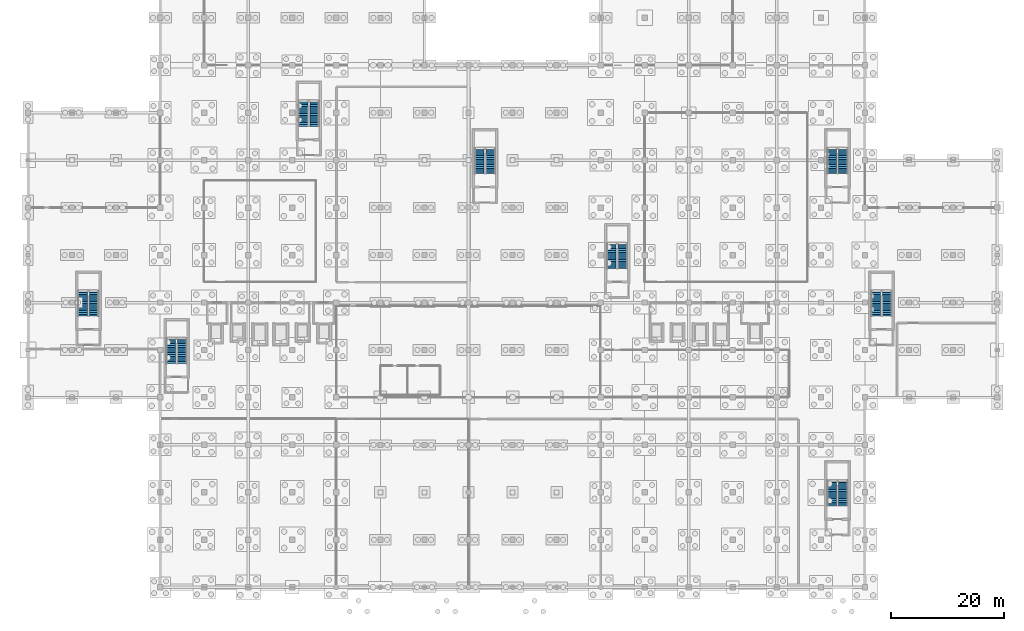
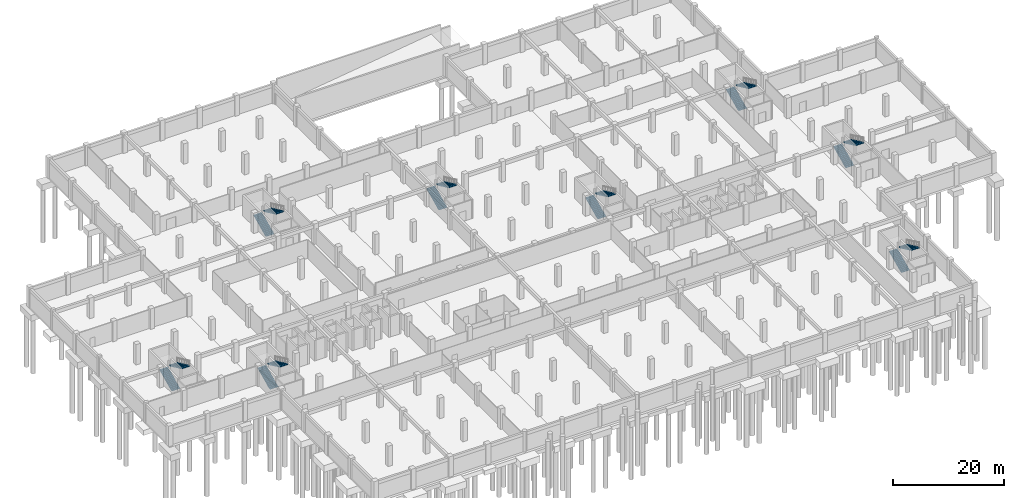
# One storey, part 23 of 30: 16 stair flights, 8 elements without a shape of their own.
"""IFC4 building model written with IfcOpenShell, lengths in metres."""

from ifc_helpers import new_model, si_unit, direction, frame, origin, place, context, subcontext, project, spatial, polyline, outline, extrude, material, type_object, element, aggregate, save


model = new_model("IFC4")

# Units and contexts
model_context = context("Model", 3, precision=1e-05, world=origin(), true_north=direction((0.0, 1.0)))
body_context = subcontext(model_context, "Body", "Model", "MODEL_VIEW")
ifc_project = project(units=[si_unit("LENGTHUNIT", "METRE"), si_unit("AREAUNIT", "SQUARE_METRE"), si_unit("VOLUMEUNIT", "CUBIC_METRE"), si_unit("PLANEANGLEUNIT", "RADIAN"), si_unit("MASSUNIT", "GRAM", prefix="KILO"), si_unit("THERMODYNAMICTEMPERATUREUNIT", "KELVIN"), si_unit("POWERUNIT", "WATT")], contexts=[model_context])

# Site, building, storey
site_placement = place(None, origin())
site = spatial("IfcSite", under=ifc_project, at=site_placement, CompositionType="ELEMENT")
building_placement = place(site_placement, origin())
building = spatial("IfcBuilding", under=site, at=building_placement, Name="Srebrne Nadtorze General Hospital", CompositionType="ELEMENT")
storey_placement = place(building_placement, frame((0.0, 0.0, -4.5)))
storey = spatial("IfcBuildingStorey", under=building, at=storey_placement, Name="B1", CompositionType="ELEMENT", Elevation=-4.5)

# Stair, stair flights
ifc_material_1 = material(Name="Concrete C35/45", Category="concrete")
stair_type = type_object("IfcStairType", Name="Dog-leg escape stair 450", PredefinedType="HALF_TURN_STAIR", material=ifc_material_1)
stair_1_placement = place(storey_placement, origin())
stair_1 = element("IfcStair", 1, at=stair_1_placement, inside=storey, type_object=stair_type, Name="Escape stair ST-01-B1", PredefinedType="HALF_TURN_STAIR")
ifc_material_2 = material(Name="Concrete C35/45", Category="concrete")
stair_flight_type = type_object("IfcStairFlightType", Name="Reinforced concrete stair flight 15R", PredefinedType="STRAIGHT", material=ifc_material_2)
stair_flight_1_placement = place(storey_placement, frame((25.300048828125, 39.60009765625, 0.0), z_axis=(0.0, 0.0, 1.0), x_axis=(0.0, 1.0, 0.0)))
stair_flight_1 = element("IfcStairFlight", 2, at=stair_flight_1_placement, type_object=stair_flight_type, Name="ST-01 flight 1", NumberOfRisers=15, NumberOfTreads=14, PredefinedType="STRAIGHT", RiserHeight=0.15, TreadLength=0.32, context=body_context, shape_type="SweptSolid", body=[
    extrude(outline(polyline([(0.0, 0.0), (0.0, 0.14990234375), (0.320068359375, 0.14990234375), (0.320068359375, 0.300048828125), (0.639892578125, 0.300048828125), (0.639892578125, 0.449951171875), (0.9599609375, 0.449951171875), (0.9599609375, 0.60009765625), (1.280029296875, 0.60009765625), (1.280029296875, 0.75), (1.60009765625, 0.75), (1.60009765625, 0.89990234375), (1.919921875, 0.89990234375), (1.919921875, 1.050048828125), (2.239990234375, 1.050048828125), (2.239990234375, 1.199951171875), (2.56005859375, 1.199951171875), (2.56005859375, 1.35009765625), (2.8798828125, 1.35009765625), (2.8798828125, 1.5), (3.199951171875, 1.5), (3.199951171875, 1.64990234375), (3.52001953125, 1.64990234375), (3.52001953125, 1.800048828125), (3.840087890625, 1.800048828125), (3.840087890625, 1.949951171875), (4.159912109375, 1.949951171875), (4.159912109375, 2.10009765625), (4.47998046875, 2.10009765625), (4.47998046875, 2.25), (4.47998046875, 1.9013671875), (0.423828125, 0.0), (0.0, 0.0)])), frame((0.0, 0.85009765625, 0.0), z_axis=(0.0, -1.0, 0.0), x_axis=(1.0, 0.0, 0.0)), (0.0, 0.0, 1.0), 1.699951171875),
])
stair_flight_2_placement = place(storey_placement, frame((27.35009765625, 44.080078125, 2.25), z_axis=(0.0, 0.0, 1.0), x_axis=(0.0, -1.0, 0.0)))
stair_flight_2 = element("IfcStairFlight", 3, at=stair_flight_2_placement, type_object=stair_flight_type, Name="ST-01 flight 2", NumberOfRisers=15, NumberOfTreads=14, PredefinedType="STRAIGHT", RiserHeight=0.15, TreadLength=0.32, context=body_context, shape_type="SweptSolid", body=[
    extrude(outline(polyline([(0.0, 0.0), (0.0, 0.14990234375), (0.320068359375, 0.14990234375), (0.320068359375, 0.300048828125), (0.639892578125, 0.300048828125), (0.639892578125, 0.449951171875), (0.9599609375, 0.449951171875), (0.9599609375, 0.60009765625), (1.280029296875, 0.60009765625), (1.280029296875, 0.75), (1.60009765625, 0.75), (1.60009765625, 0.89990234375), (1.919921875, 0.89990234375), (1.919921875, 1.050048828125), (2.239990234375, 1.050048828125), (2.239990234375, 1.199951171875), (2.56005859375, 1.199951171875), (2.56005859375, 1.35009765625), (2.8798828125, 1.35009765625), (2.8798828125, 1.5), (3.199951171875, 1.5), (3.199951171875, 1.64990234375), (3.52001953125, 1.64990234375), (3.52001953125, 1.800048828125), (3.840087890625, 1.800048828125), (3.840087890625, 1.949951171875), (4.159912109375, 1.949951171875), (4.159912109375, 2.10009765625), (4.47998046875, 2.10009765625), (4.47998046875, 2.25), (4.47998046875, 1.9013671875), (0.423828125, 0.0), (0.0, 0.0)])), frame((0.0, 0.85009765625, 0.0), z_axis=(0.0, -1.0, 0.0), x_axis=(1.0, 0.0, 0.0)), (0.0, 0.0, 1.0), 1.699951171875),
])
aggregate(stair_1, [stair_flight_1, stair_flight_2])

stair_2_placement = place(storey_placement, origin())
stair_2 = element("IfcStair", 4, at=stair_2_placement, inside=storey, type_object=stair_type, Name="Escape stair ST-02-B1", PredefinedType="HALF_TURN_STAIR")
stair_flight_3_placement = place(storey_placement, frame((48.699951171875, 81.60009765625, 0.0), z_axis=(0.0, 0.0, 1.0), x_axis=(0.0, 1.0, 0.0)))
stair_flight_3 = element("IfcStairFlight", 5, at=stair_flight_3_placement, type_object=stair_flight_type, Name="ST-02 flight 1", NumberOfRisers=15, NumberOfTreads=14, PredefinedType="STRAIGHT", RiserHeight=0.15, TreadLength=0.32, context=body_context, shape_type="SweptSolid", body=[
    extrude(outline(polyline([(0.0, 0.0), (0.0, 0.14990234375), (0.320068359375, 0.14990234375), (0.320068359375, 0.300048828125), (0.639892578125, 0.300048828125), (0.639892578125, 0.449951171875), (0.9599609375, 0.449951171875), (0.9599609375, 0.60009765625), (1.280029296875, 0.60009765625), (1.280029296875, 0.75), (1.60009765625, 0.75), (1.60009765625, 0.89990234375), (1.919921875, 0.89990234375), (1.919921875, 1.050048828125), (2.239990234375, 1.050048828125), (2.239990234375, 1.199951171875), (2.56005859375, 1.199951171875), (2.56005859375, 1.35009765625), (2.8798828125, 1.35009765625), (2.8798828125, 1.5), (3.199951171875, 1.5), (3.199951171875, 1.64990234375), (3.52001953125, 1.64990234375), (3.52001953125, 1.800048828125), (3.840087890625, 1.800048828125), (3.840087890625, 1.949951171875), (4.159912109375, 1.949951171875), (4.159912109375, 2.10009765625), (4.47998046875, 2.10009765625), (4.47998046875, 2.25), (4.47998046875, 1.9013671875), (0.423828125, 0.0), (0.0, 0.0)])), frame((0.0, 0.85009765625, 0.0), z_axis=(0.0, -1.0, 0.0), x_axis=(1.0, 0.0, 0.0)), (0.0, 0.0, 1.0), 1.699951171875),
])
stair_flight_4_placement = place(storey_placement, frame((50.75, 86.080078125, 2.25), z_axis=(0.0, 0.0, 1.0), x_axis=(0.0, -1.0, 0.0)))
stair_flight_4 = element("IfcStairFlight", 6, at=stair_flight_4_placement, type_object=stair_flight_type, Name="ST-02 flight 2", NumberOfRisers=15, NumberOfTreads=14, PredefinedType="STRAIGHT", RiserHeight=0.15, TreadLength=0.32, context=body_context, shape_type="SweptSolid", body=[
    extrude(outline(polyline([(0.0, 0.0), (0.0, 0.14990234375), (0.320068359375, 0.14990234375), (0.320068359375, 0.300048828125), (0.639892578125, 0.300048828125), (0.639892578125, 0.449951171875), (0.9599609375, 0.449951171875), (0.9599609375, 0.60009765625), (1.280029296875, 0.60009765625), (1.280029296875, 0.75), (1.60009765625, 0.75), (1.60009765625, 0.89990234375), (1.919921875, 0.89990234375), (1.919921875, 1.050048828125), (2.239990234375, 1.050048828125), (2.239990234375, 1.199951171875), (2.56005859375, 1.199951171875), (2.56005859375, 1.35009765625), (2.8798828125, 1.35009765625), (2.8798828125, 1.5), (3.199951171875, 1.5), (3.199951171875, 1.64990234375), (3.52001953125, 1.64990234375), (3.52001953125, 1.800048828125), (3.840087890625, 1.800048828125), (3.840087890625, 1.949951171875), (4.159912109375, 1.949951171875), (4.159912109375, 2.10009765625), (4.47998046875, 2.10009765625), (4.47998046875, 2.25), (4.47998046875, 1.9013671875), (0.423828125, 0.0), (0.0, 0.0)])), frame((0.0, 0.85009765625, 0.0), z_axis=(0.0, -1.0, 0.0), x_axis=(1.0, 0.0, 0.0)), (0.0, 0.0, 1.0), 1.699951171875),
])
aggregate(stair_2, [stair_flight_3, stair_flight_4])

stair_3_placement = place(storey_placement, origin())
stair_3 = element("IfcStair", 7, at=stair_3_placement, inside=storey, type_object=stair_type, Name="Escape stair ST-03-B1", PredefinedType="HALF_TURN_STAIR")
stair_flight_5_placement = place(storey_placement, frame((103.300048828125, 56.39990234375, 0.0), z_axis=(0.0, 0.0, 1.0), x_axis=(0.0, 1.0, 0.0)))
stair_flight_5 = element("IfcStairFlight", 8, at=stair_flight_5_placement, type_object=stair_flight_type, Name="ST-03 flight 1", NumberOfRisers=15, NumberOfTreads=14, PredefinedType="STRAIGHT", RiserHeight=0.15, TreadLength=0.32, context=body_context, shape_type="SweptSolid", body=[
    extrude(outline(polyline([(0.0, 0.0), (0.0, 0.14990234375), (0.320068359375, 0.14990234375), (0.320068359375, 0.300048828125), (0.639892578125, 0.300048828125), (0.639892578125, 0.449951171875), (0.9599609375, 0.449951171875), (0.9599609375, 0.60009765625), (1.280029296875, 0.60009765625), (1.280029296875, 0.75), (1.60009765625, 0.75), (1.60009765625, 0.89990234375), (1.919921875, 0.89990234375), (1.919921875, 1.050048828125), (2.239990234375, 1.050048828125), (2.239990234375, 1.199951171875), (2.56005859375, 1.199951171875), (2.56005859375, 1.35009765625), (2.8798828125, 1.35009765625), (2.8798828125, 1.5), (3.199951171875, 1.5), (3.199951171875, 1.64990234375), (3.52001953125, 1.64990234375), (3.52001953125, 1.800048828125), (3.840087890625, 1.800048828125), (3.840087890625, 1.949951171875), (4.159912109375, 1.949951171875), (4.159912109375, 2.10009765625), (4.47998046875, 2.10009765625), (4.47998046875, 2.25), (4.47998046875, 1.9013671875), (0.423828125, 0.0), (0.0, 0.0)])), frame((0.0, 0.85009765625, 0.0), z_axis=(0.0, -1.0, 0.0), x_axis=(1.0, 0.0, 0.0)), (0.0, 0.0, 1.0), 1.699951171875),
])
stair_flight_6_placement = place(storey_placement, frame((105.35009765625, 60.8798828125, 2.25), z_axis=(0.0, 0.0, 1.0), x_axis=(0.0, -1.0, 0.0)))
stair_flight_6 = element("IfcStairFlight", 9, at=stair_flight_6_placement, type_object=stair_flight_type, Name="ST-03 flight 2", NumberOfRisers=15, NumberOfTreads=14, PredefinedType="STRAIGHT", RiserHeight=0.15, TreadLength=0.32, context=body_context, shape_type="SweptSolid", body=[
    extrude(outline(polyline([(0.0, 0.0), (0.0, 0.14990234375), (0.320068359375, 0.14990234375), (0.320068359375, 0.300048828125), (0.639892578125, 0.300048828125), (0.639892578125, 0.449951171875), (0.9599609375, 0.449951171875), (0.9599609375, 0.60009765625), (1.280029296875, 0.60009765625), (1.280029296875, 0.75), (1.60009765625, 0.75), (1.60009765625, 0.89990234375), (1.919921875, 0.89990234375), (1.919921875, 1.050048828125), (2.239990234375, 1.050048828125), (2.239990234375, 1.199951171875), (2.56005859375, 1.199951171875), (2.56005859375, 1.35009765625), (2.8798828125, 1.35009765625), (2.8798828125, 1.5), (3.199951171875, 1.5), (3.199951171875, 1.64990234375), (3.52001953125, 1.64990234375), (3.52001953125, 1.800048828125), (3.840087890625, 1.800048828125), (3.840087890625, 1.949951171875), (4.159912109375, 1.949951171875), (4.159912109375, 2.10009765625), (4.47998046875, 2.10009765625), (4.47998046875, 2.25), (4.47998046875, 1.9013671875), (0.423828125, 0.0), (0.0, 0.0)])), frame((0.0, 0.85009765625, 0.0), z_axis=(0.0, -1.0, 0.0), x_axis=(1.0, 0.0, 0.0)), (0.0, 0.0, 1.0), 1.699951171875),
])
aggregate(stair_3, [stair_flight_5, stair_flight_6])

stair_4_placement = place(storey_placement, origin())
stair_4 = element("IfcStair", 10, at=stair_4_placement, inside=storey, type_object=stair_type, Name="Escape stair ST-04-B1", PredefinedType="HALF_TURN_STAIR")
stair_flight_7_placement = place(storey_placement, frame((142.300048828125, 73.199951171875, 0.0), z_axis=(0.0, 0.0, 1.0), x_axis=(0.0, 1.0, 0.0)))
stair_flight_7 = element("IfcStairFlight", 11, at=stair_flight_7_placement, type_object=stair_flight_type, Name="ST-04 flight 1", NumberOfRisers=15, NumberOfTreads=14, PredefinedType="STRAIGHT", RiserHeight=0.15, TreadLength=0.32, context=body_context, shape_type="SweptSolid", body=[
    extrude(outline(polyline([(0.0, 0.0), (0.0, 0.14990234375), (0.320068359375, 0.14990234375), (0.320068359375, 0.300048828125), (0.639892578125, 0.300048828125), (0.639892578125, 0.449951171875), (0.9599609375, 0.449951171875), (0.9599609375, 0.60009765625), (1.280029296875, 0.60009765625), (1.280029296875, 0.75), (1.60009765625, 0.75), (1.60009765625, 0.89990234375), (1.919921875, 0.89990234375), (1.919921875, 1.050048828125), (2.239990234375, 1.050048828125), (2.239990234375, 1.199951171875), (2.56005859375, 1.199951171875), (2.56005859375, 1.35009765625), (2.8798828125, 1.35009765625), (2.8798828125, 1.5), (3.199951171875, 1.5), (3.199951171875, 1.64990234375), (3.52001953125, 1.64990234375), (3.52001953125, 1.800048828125), (3.840087890625, 1.800048828125), (3.840087890625, 1.949951171875), (4.159912109375, 1.949951171875), (4.159912109375, 2.10009765625), (4.47998046875, 2.10009765625), (4.47998046875, 2.25), (4.47998046875, 1.9013671875), (0.423828125, 0.0), (0.0, 0.0)])), frame((0.0, 0.85009765625, 0.0), z_axis=(0.0, -1.0, 0.0), x_axis=(1.0, 0.0, 0.0)), (0.0, 0.0, 1.0), 1.699951171875),
])
stair_flight_8_placement = place(storey_placement, frame((144.35009765625, 77.679931640625, 2.25), z_axis=(0.0, 0.0, 1.0), x_axis=(0.0, -1.0, 0.0)))
stair_flight_8 = element("IfcStairFlight", 12, at=stair_flight_8_placement, type_object=stair_flight_type, Name="ST-04 flight 2", NumberOfRisers=15, NumberOfTreads=14, PredefinedType="STRAIGHT", RiserHeight=0.15, TreadLength=0.32, context=body_context, shape_type="SweptSolid", body=[
    extrude(outline(polyline([(0.0, 0.0), (0.0, 0.14990234375), (0.320068359375, 0.14990234375), (0.320068359375, 0.300048828125), (0.639892578125, 0.300048828125), (0.639892578125, 0.449951171875), (0.9599609375, 0.449951171875), (0.9599609375, 0.60009765625), (1.280029296875, 0.60009765625), (1.280029296875, 0.75), (1.60009765625, 0.75), (1.60009765625, 0.89990234375), (1.919921875, 0.89990234375), (1.919921875, 1.050048828125), (2.239990234375, 1.050048828125), (2.239990234375, 1.199951171875), (2.56005859375, 1.199951171875), (2.56005859375, 1.35009765625), (2.8798828125, 1.35009765625), (2.8798828125, 1.5), (3.199951171875, 1.5), (3.199951171875, 1.64990234375), (3.52001953125, 1.64990234375), (3.52001953125, 1.800048828125), (3.840087890625, 1.800048828125), (3.840087890625, 1.949951171875), (4.159912109375, 1.949951171875), (4.159912109375, 2.10009765625), (4.47998046875, 2.10009765625), (4.47998046875, 2.25), (4.47998046875, 1.9013671875), (0.423828125, 0.0), (0.0, 0.0)])), frame((0.0, 0.85009765625, 0.0), z_axis=(0.0, -1.0, 0.0), x_axis=(1.0, 0.0, 0.0)), (0.0, 0.0, 1.0), 1.699951171875),
])
aggregate(stair_4, [stair_flight_7, stair_flight_8])

stair_5_placement = place(storey_placement, origin())
stair_5 = element("IfcStair", 13, at=stair_5_placement, inside=storey, type_object=stair_type, Name="Escape stair ST-05-B1", PredefinedType="HALF_TURN_STAIR")
stair_flight_9_placement = place(storey_placement, frame((9.699951171875, 48.0, 0.0), z_axis=(0.0, 0.0, 1.0), x_axis=(0.0, 1.0, 0.0)))
stair_flight_9 = element("IfcStairFlight", 14, at=stair_flight_9_placement, type_object=stair_flight_type, Name="ST-05 flight 1", NumberOfRisers=15, NumberOfTreads=14, PredefinedType="STRAIGHT", RiserHeight=0.15, TreadLength=0.32, context=body_context, shape_type="SweptSolid", body=[
    extrude(outline(polyline([(0.0, 0.0), (0.0, 0.14990234375), (0.320068359375, 0.14990234375), (0.320068359375, 0.300048828125), (0.639892578125, 0.300048828125), (0.639892578125, 0.449951171875), (0.9599609375, 0.449951171875), (0.9599609375, 0.60009765625), (1.280029296875, 0.60009765625), (1.280029296875, 0.75), (1.60009765625, 0.75), (1.60009765625, 0.89990234375), (1.919921875, 0.89990234375), (1.919921875, 1.050048828125), (2.239990234375, 1.050048828125), (2.239990234375, 1.199951171875), (2.56005859375, 1.199951171875), (2.56005859375, 1.35009765625), (2.8798828125, 1.35009765625), (2.8798828125, 1.5), (3.199951171875, 1.5), (3.199951171875, 1.64990234375), (3.52001953125, 1.64990234375), (3.52001953125, 1.800048828125), (3.840087890625, 1.800048828125), (3.840087890625, 1.949951171875), (4.159912109375, 1.949951171875), (4.159912109375, 2.10009765625), (4.47998046875, 2.10009765625), (4.47998046875, 2.25), (4.47998046875, 1.9013671875), (0.423828125, 0.0), (0.0, 0.0)])), frame((0.0, 0.85009765625, 0.0), z_axis=(0.0, -1.0, 0.0), x_axis=(1.0, 0.0, 0.0)), (0.0, 0.0, 1.0), 1.699951171875),
])
stair_flight_10_placement = place(storey_placement, frame((11.75, 52.47998046875, 2.25), z_axis=(0.0, 0.0, 1.0), x_axis=(0.0, -1.0, 0.0)))
stair_flight_10 = element("IfcStairFlight", 15, at=stair_flight_10_placement, type_object=stair_flight_type, Name="ST-05 flight 2", NumberOfRisers=15, NumberOfTreads=14, PredefinedType="STRAIGHT", RiserHeight=0.15, TreadLength=0.32, context=body_context, shape_type="SweptSolid", body=[
    extrude(outline(polyline([(0.0, 0.0), (0.0, 0.14990234375), (0.320068359375, 0.14990234375), (0.320068359375, 0.300048828125), (0.639892578125, 0.300048828125), (0.639892578125, 0.449951171875), (0.9599609375, 0.449951171875), (0.9599609375, 0.60009765625), (1.280029296875, 0.60009765625), (1.280029296875, 0.75), (1.60009765625, 0.75), (1.60009765625, 0.89990234375), (1.919921875, 0.89990234375), (1.919921875, 1.050048828125), (2.239990234375, 1.050048828125), (2.239990234375, 1.199951171875), (2.56005859375, 1.199951171875), (2.56005859375, 1.35009765625), (2.8798828125, 1.35009765625), (2.8798828125, 1.5), (3.199951171875, 1.5), (3.199951171875, 1.64990234375), (3.52001953125, 1.64990234375), (3.52001953125, 1.800048828125), (3.840087890625, 1.800048828125), (3.840087890625, 1.949951171875), (4.159912109375, 1.949951171875), (4.159912109375, 2.10009765625), (4.47998046875, 2.10009765625), (4.47998046875, 2.25), (4.47998046875, 1.9013671875), (0.423828125, 0.0), (0.0, 0.0)])), frame((0.0, 0.85009765625, 0.0), z_axis=(0.0, -1.0, 0.0), x_axis=(1.0, 0.0, 0.0)), (0.0, 0.0, 1.0), 1.699951171875),
])
aggregate(stair_5, [stair_flight_9, stair_flight_10])

stair_6_placement = place(storey_placement, origin())
stair_6 = element("IfcStair", 16, at=stair_6_placement, inside=storey, type_object=stair_type, Name="Escape stair ST-06-B1", PredefinedType="HALF_TURN_STAIR")
stair_flight_11_placement = place(storey_placement, frame((150.10009765625, 48.0, 0.0), z_axis=(0.0, 0.0, 1.0), x_axis=(0.0, 1.0, 0.0)))
stair_flight_11 = element("IfcStairFlight", 17, at=stair_flight_11_placement, type_object=stair_flight_type, Name="ST-06 flight 1", NumberOfRisers=15, NumberOfTreads=14, PredefinedType="STRAIGHT", RiserHeight=0.15, TreadLength=0.32, context=body_context, shape_type="SweptSolid", body=[
    extrude(outline(polyline([(0.0, 0.0), (0.0, 0.14990234375), (0.320068359375, 0.14990234375), (0.320068359375, 0.300048828125), (0.639892578125, 0.300048828125), (0.639892578125, 0.449951171875), (0.9599609375, 0.449951171875), (0.9599609375, 0.60009765625), (1.280029296875, 0.60009765625), (1.280029296875, 0.75), (1.60009765625, 0.75), (1.60009765625, 0.89990234375), (1.919921875, 0.89990234375), (1.919921875, 1.050048828125), (2.239990234375, 1.050048828125), (2.239990234375, 1.199951171875), (2.56005859375, 1.199951171875), (2.56005859375, 1.35009765625), (2.8798828125, 1.35009765625), (2.8798828125, 1.5), (3.199951171875, 1.5), (3.199951171875, 1.64990234375), (3.52001953125, 1.64990234375), (3.52001953125, 1.800048828125), (3.840087890625, 1.800048828125), (3.840087890625, 1.949951171875), (4.159912109375, 1.949951171875), (4.159912109375, 2.10009765625), (4.47998046875, 2.10009765625), (4.47998046875, 2.25), (4.47998046875, 1.9013671875), (0.423828125, 0.0), (0.0, 0.0)])), frame((0.0, 0.85009765625, 0.0), z_axis=(0.0, -1.0, 0.0), x_axis=(1.0, 0.0, 0.0)), (0.0, 0.0, 1.0), 1.699951171875),
])
stair_flight_12_placement = place(storey_placement, frame((152.14990234375, 52.47998046875, 2.25), z_axis=(0.0, 0.0, 1.0), x_axis=(0.0, -1.0, 0.0)))
stair_flight_12 = element("IfcStairFlight", 18, at=stair_flight_12_placement, type_object=stair_flight_type, Name="ST-06 flight 2", NumberOfRisers=15, NumberOfTreads=14, PredefinedType="STRAIGHT", RiserHeight=0.15, TreadLength=0.32, context=body_context, shape_type="SweptSolid", body=[
    extrude(outline(polyline([(0.0, 0.0), (0.0, 0.14990234375), (0.320068359375, 0.14990234375), (0.320068359375, 0.300048828125), (0.639892578125, 0.300048828125), (0.639892578125, 0.449951171875), (0.9599609375, 0.449951171875), (0.9599609375, 0.60009765625), (1.280029296875, 0.60009765625), (1.280029296875, 0.75), (1.60009765625, 0.75), (1.60009765625, 0.89990234375), (1.919921875, 0.89990234375), (1.919921875, 1.050048828125), (2.239990234375, 1.050048828125), (2.239990234375, 1.199951171875), (2.56005859375, 1.199951171875), (2.56005859375, 1.35009765625), (2.8798828125, 1.35009765625), (2.8798828125, 1.5), (3.199951171875, 1.5), (3.199951171875, 1.64990234375), (3.52001953125, 1.64990234375), (3.52001953125, 1.800048828125), (3.840087890625, 1.800048828125), (3.840087890625, 1.949951171875), (4.159912109375, 1.949951171875), (4.159912109375, 2.10009765625), (4.47998046875, 2.10009765625), (4.47998046875, 2.25), (4.47998046875, 1.9013671875), (0.423828125, 0.0), (0.0, 0.0)])), frame((0.0, 0.85009765625, 0.0), z_axis=(0.0, -1.0, 0.0), x_axis=(1.0, 0.0, 0.0)), (0.0, 0.0, 1.0), 1.699951171875),
])
aggregate(stair_6, [stair_flight_11, stair_flight_12])

stair_7_placement = place(storey_placement, origin())
stair_7 = element("IfcStair", 19, at=stair_7_placement, inside=storey, type_object=stair_type, Name="Escape stair ST-07-B1", PredefinedType="HALF_TURN_STAIR")
stair_flight_13_placement = place(storey_placement, frame((79.89990234375, 73.199951171875, 0.0), z_axis=(0.0, 0.0, 1.0), x_axis=(0.0, 1.0, 0.0)))
stair_flight_13 = element("IfcStairFlight", 20, at=stair_flight_13_placement, type_object=stair_flight_type, Name="ST-07 flight 1", NumberOfRisers=15, NumberOfTreads=14, PredefinedType="STRAIGHT", RiserHeight=0.15, TreadLength=0.32, context=body_context, shape_type="SweptSolid", body=[
    extrude(outline(polyline([(0.0, 0.0), (0.0, 0.14990234375), (0.320068359375, 0.14990234375), (0.320068359375, 0.300048828125), (0.639892578125, 0.300048828125), (0.639892578125, 0.449951171875), (0.9599609375, 0.449951171875), (0.9599609375, 0.60009765625), (1.280029296875, 0.60009765625), (1.280029296875, 0.75), (1.60009765625, 0.75), (1.60009765625, 0.89990234375), (1.919921875, 0.89990234375), (1.919921875, 1.050048828125), (2.239990234375, 1.050048828125), (2.239990234375, 1.199951171875), (2.56005859375, 1.199951171875), (2.56005859375, 1.35009765625), (2.8798828125, 1.35009765625), (2.8798828125, 1.5), (3.199951171875, 1.5), (3.199951171875, 1.64990234375), (3.52001953125, 1.64990234375), (3.52001953125, 1.800048828125), (3.840087890625, 1.800048828125), (3.840087890625, 1.949951171875), (4.159912109375, 1.949951171875), (4.159912109375, 2.10009765625), (4.47998046875, 2.10009765625), (4.47998046875, 2.25), (4.47998046875, 1.9013671875), (0.423828125, 0.0), (0.0, 0.0)])), frame((0.0, 0.85009765625, 0.0), z_axis=(0.0, -1.0, 0.0), x_axis=(1.0, 0.0, 0.0)), (0.0, 0.0, 1.0), 1.699951171875),
])
stair_flight_14_placement = place(storey_placement, frame((81.949951171875, 77.679931640625, 2.25), z_axis=(0.0, 0.0, 1.0), x_axis=(0.0, -1.0, 0.0)))
stair_flight_14 = element("IfcStairFlight", 21, at=stair_flight_14_placement, type_object=stair_flight_type, Name="ST-07 flight 2", NumberOfRisers=15, NumberOfTreads=14, PredefinedType="STRAIGHT", RiserHeight=0.15, TreadLength=0.32, context=body_context, shape_type="SweptSolid", body=[
    extrude(outline(polyline([(0.0, 0.0), (0.0, 0.14990234375), (0.320068359375, 0.14990234375), (0.320068359375, 0.300048828125), (0.639892578125, 0.300048828125), (0.639892578125, 0.449951171875), (0.9599609375, 0.449951171875), (0.9599609375, 0.60009765625), (1.280029296875, 0.60009765625), (1.280029296875, 0.75), (1.60009765625, 0.75), (1.60009765625, 0.89990234375), (1.919921875, 0.89990234375), (1.919921875, 1.050048828125), (2.239990234375, 1.050048828125), (2.239990234375, 1.199951171875), (2.56005859375, 1.199951171875), (2.56005859375, 1.35009765625), (2.8798828125, 1.35009765625), (2.8798828125, 1.5), (3.199951171875, 1.5), (3.199951171875, 1.64990234375), (3.52001953125, 1.64990234375), (3.52001953125, 1.800048828125), (3.840087890625, 1.800048828125), (3.840087890625, 1.949951171875), (4.159912109375, 1.949951171875), (4.159912109375, 2.10009765625), (4.47998046875, 2.10009765625), (4.47998046875, 2.25), (4.47998046875, 1.9013671875), (0.423828125, 0.0), (0.0, 0.0)])), frame((0.0, 0.85009765625, 0.0), z_axis=(0.0, -1.0, 0.0), x_axis=(1.0, 0.0, 0.0)), (0.0, 0.0, 1.0), 1.699951171875),
])
aggregate(stair_7, [stair_flight_13, stair_flight_14])

stair_8_placement = place(storey_placement, origin())
stair_8 = element("IfcStair", 22, at=stair_8_placement, inside=storey, type_object=stair_type, Name="Escape stair ST-08-B1", PredefinedType="HALF_TURN_STAIR")
stair_flight_15_placement = place(storey_placement, frame((142.300048828125, 14.39990234375, 0.0), z_axis=(0.0, 0.0, 1.0), x_axis=(0.0, 1.0, 0.0)))
stair_flight_15 = element("IfcStairFlight", 23, at=stair_flight_15_placement, type_object=stair_flight_type, Name="ST-08 flight 1", NumberOfRisers=15, NumberOfTreads=14, PredefinedType="STRAIGHT", RiserHeight=0.15, TreadLength=0.32, context=body_context, shape_type="SweptSolid", body=[
    extrude(outline(polyline([(0.0, 0.0), (0.0, 0.14990234375), (0.320068359375, 0.14990234375), (0.320068359375, 0.300048828125), (0.639892578125, 0.300048828125), (0.639892578125, 0.449951171875), (0.9599609375, 0.449951171875), (0.9599609375, 0.60009765625), (1.280029296875, 0.60009765625), (1.280029296875, 0.75), (1.60009765625, 0.75), (1.60009765625, 0.89990234375), (1.919921875, 0.89990234375), (1.919921875, 1.050048828125), (2.239990234375, 1.050048828125), (2.239990234375, 1.199951171875), (2.56005859375, 1.199951171875), (2.56005859375, 1.35009765625), (2.8798828125, 1.35009765625), (2.8798828125, 1.5), (3.199951171875, 1.5), (3.199951171875, 1.64990234375), (3.52001953125, 1.64990234375), (3.52001953125, 1.800048828125), (3.840087890625, 1.800048828125), (3.840087890625, 1.949951171875), (4.159912109375, 1.949951171875), (4.159912109375, 2.10009765625), (4.47998046875, 2.10009765625), (4.47998046875, 2.25), (4.47998046875, 1.9013671875), (0.423828125, 0.0), (0.0, 0.0)])), frame((0.0, 0.85009765625, 0.0), z_axis=(0.0, -1.0, 0.0), x_axis=(1.0, 0.0, 0.0)), (0.0, 0.0, 1.0), 1.699951171875),
])
stair_flight_16_placement = place(storey_placement, frame((144.35009765625, 18.8798828125, 2.25), z_axis=(0.0, 0.0, 1.0), x_axis=(0.0, -1.0, 0.0)))
stair_flight_16 = element("IfcStairFlight", 24, at=stair_flight_16_placement, type_object=stair_flight_type, Name="ST-08 flight 2", NumberOfRisers=15, NumberOfTreads=14, PredefinedType="STRAIGHT", RiserHeight=0.15, TreadLength=0.32, context=body_context, shape_type="SweptSolid", body=[
    extrude(outline(polyline([(0.0, 0.0), (0.0, 0.14990234375), (0.320068359375, 0.14990234375), (0.320068359375, 0.300048828125), (0.639892578125, 0.300048828125), (0.639892578125, 0.449951171875), (0.9599609375, 0.449951171875), (0.9599609375, 0.60009765625), (1.280029296875, 0.60009765625), (1.280029296875, 0.75), (1.60009765625, 0.75), (1.60009765625, 0.89990234375), (1.919921875, 0.89990234375), (1.919921875, 1.050048828125), (2.239990234375, 1.050048828125), (2.239990234375, 1.199951171875), (2.56005859375, 1.199951171875), (2.56005859375, 1.35009765625), (2.8798828125, 1.35009765625), (2.8798828125, 1.5), (3.199951171875, 1.5), (3.199951171875, 1.64990234375), (3.52001953125, 1.64990234375), (3.52001953125, 1.800048828125), (3.840087890625, 1.800048828125), (3.840087890625, 1.949951171875), (4.159912109375, 1.949951171875), (4.159912109375, 2.10009765625), (4.47998046875, 2.10009765625), (4.47998046875, 2.25), (4.47998046875, 1.9013671875), (0.423828125, 0.0), (0.0, 0.0)])), frame((0.0, 0.85009765625, 0.0), z_axis=(0.0, -1.0, 0.0), x_axis=(1.0, 0.0, 0.0)), (0.0, 0.0, 1.0), 1.699951171875),
])
aggregate(stair_8, [stair_flight_15, stair_flight_16])

save(model, "model.ifc")
